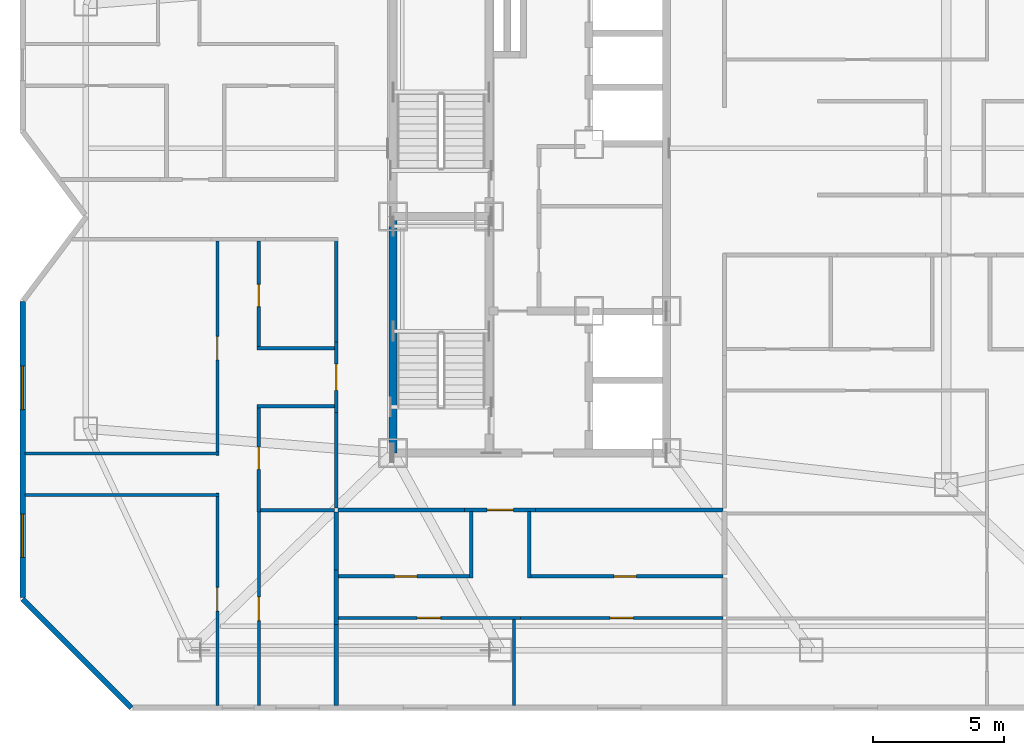
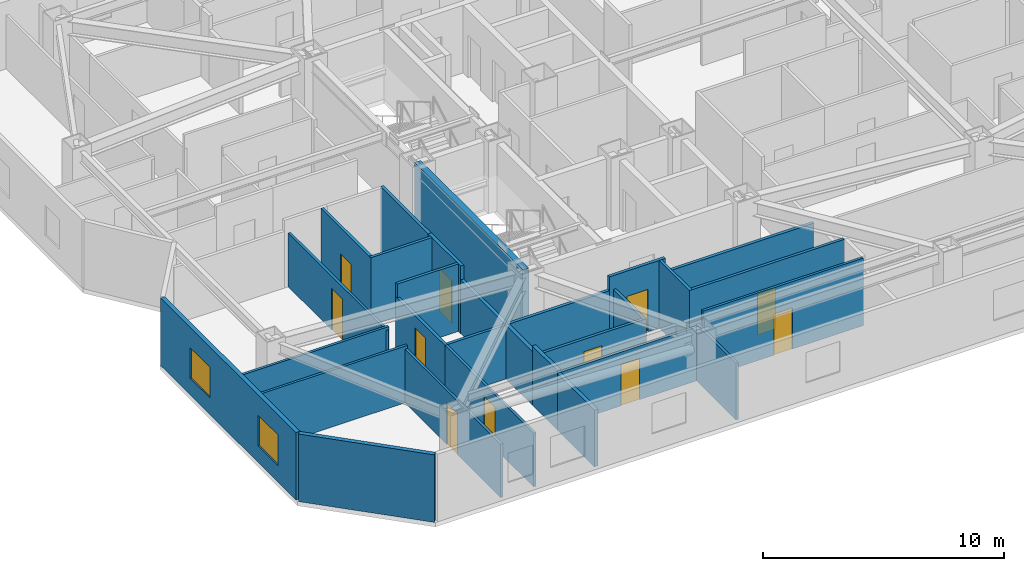
# One storey, part 5 of 11: 29 walls, 11 doors, 2 windows, 13 openings.
"""IFC4 building model written with IfcOpenShell, lengths in metres."""

from ifc_helpers import new_model, si_unit, direction, frame, frame_2d, origin, place, context, subcontext, project, spatial, rectangle, extrude, material, layer, layer_set, type_object, element, fill, save


model = new_model("IFC4")

# Units and contexts
model_context = context("Model", 3, precision=1e-05, world=origin(), true_north=direction((0.0, 1.0)))
body_context = subcontext(model_context, "Body", "Model", "MODEL_VIEW")
ifc_project = project(units=[si_unit("LENGTHUNIT", "METRE"), si_unit("AREAUNIT", "SQUARE_METRE"), si_unit("VOLUMEUNIT", "CUBIC_METRE"), si_unit("PLANEANGLEUNIT", "RADIAN"), si_unit("MASSUNIT", "GRAM", prefix="KILO")], contexts=[model_context])

# Site, building, storey
site_placement = place(None, origin())
site = spatial("IfcSite", under=ifc_project, at=site_placement, CompositionType="ELEMENT")
building_placement = place(site_placement, origin())
building = spatial("IfcBuilding", under=site, at=building_placement, Name="Khamvora Tower", CompositionType="ELEMENT")
storey_placement = place(building_placement, frame((0.0, 0.0, 163.199951171875)))
storey = spatial("IfcBuildingStorey", under=building, at=storey_placement, Name="L41", CompositionType="ELEMENT", Elevation=163.199951171875)

# Wall
ifc_material_1 = material(Name="Concrete C50/60", Category="concrete")
ifc_layer_1 = layer(ifc_material_1, 0.300048828125)
ifc_layer_set_1 = layer_set([ifc_layer_1], Name="Concrete C50/60")
wall_type_1 = type_object("IfcWallType", Name="WAL-CORE-300", PredefinedType="SHEAR", material=ifc_layer_set_1)
wall_1_placement = place(storey_placement, frame((29.0, 19.0, 0.0), z_axis=(0.0, 0.0, 1.0), x_axis=(0.0, 1.0, 0.0)))
element("IfcWall", 1, at=wall_1_placement, inside=storey, type_object=wall_type_1, Name="L41 central core west south wall", PredefinedType="SHEAR", context=body_context, shape_type="SweptSolid", body=[
    extrude(rectangle(XDim=9.0, YDim=0.300048828125, at=frame_2d((4.5, 0.0))), origin(), (0.0, 0.0, 1.0), 3.429931640625),
])

# Wall, opening, door
ifc_material_2 = material(Name="Fire-Rated Drywall and Steel Stud", Category="steel")
ifc_layer_2 = layer(ifc_material_2, 0.14990234375)
ifc_layer_set_2 = layer_set([ifc_layer_2], Name="Fire-Rated Drywall and Steel Stud")
wall_type_2 = type_object("IfcWallType", Name="WAL-CORR-150", PredefinedType="STANDARD", material=ifc_layer_set_2)
wall_2_placement = place(storey_placement, frame((26.8349609375, 20.534912109375, 0.0), z_axis=(0.0, 0.0, 1.0), x_axis=(0.0, 1.0, 0.0)))
wall_2 = element("IfcWall", 2, at=wall_2_placement, inside=storey, type_object=wall_type_2, Name="L41 interior partition wall 005", PredefinedType="STANDARD", context=body_context, shape_type="SweptSolid", body=[
    extrude(rectangle(XDim=2.697998046875, YDim=0.14990234375, at=frame_2d((1.34912109375, 0.0))), origin(), (0.0, 0.0, 1.0), 3.429931640625),
])
opening_1_placement = place(wall_2_placement, frame((0.84912109375, 0.0, 0.0)))
opening_1 = element("IfcOpeningElement", 3, at=opening_1_placement, cuts=wall_2, Name="Opening D-U1", PredefinedType="OPENING", context=body_context, shape_type="SweptSolid", body=[
    extrude(rectangle(XDim=1.0, YDim=2.14990234375, at=frame_2d((0.5, 1.074951171875))), frame((0.0, 0.0849609375, 0.0), z_axis=(0.0, -1.0, 0.0), x_axis=(1.0, 0.0, 0.0)), (0.0, 0.0, 1.0), 0.169921875),
])
ifc_material_3 = material(Name="Powder-Coated Steel and Hardwood Leaf", Category="steel")
door_type_1 = type_object("IfcDoorType", Name="DOR-UNIT-1000", OperationType="NOTDEFINED", PredefinedType="DOOR", material=ifc_material_3)
door_1_placement = place(opening_1_placement, origin())
door_1 = element("IfcDoor", 4, at=door_1_placement, inside=storey, type_object=door_type_1, Name="L41 interior door COR-41WAH", OperationType="SINGLE_SWING_LEFT", OverallHeight=2.14990234375, OverallWidth=1.0, PredefinedType="DOOR", context=body_context, shape_type="SweptSolid", body=[
    extrude(rectangle(XDim=1.0, YDim=2.14990234375, at=frame_2d((0.5, 1.074951171875))), frame((0.0, 0.02490234375, 0.0), z_axis=(0.0, -1.0, 0.0), x_axis=(1.0, 0.0, 0.0)), (0.0, 0.0, 1.0), 0.050048828125),
])
fill(opening_1, door_1)

# Walls
wall_3_placement = place(storey_placement, frame((26.8349609375, 16.89990234375, 0.0), z_axis=(0.0, 0.0, 1.0), x_axis=(0.0, 1.0, 0.0)))
element("IfcWall", 5, at=wall_3_placement, inside=storey, type_object=wall_type_2, Name="L41 interior partition wall 007", PredefinedType="STANDARD", context=body_context, shape_type="SweptSolid", body=[
    extrude(rectangle(XDim=3.635009765625, YDim=0.14990234375, at=frame_2d((1.8173828125, 0.0))), origin(), (0.0, 0.0, 1.0), 2.72509765625),
])
wall_4_placement = place(storey_placement, frame((26.8349609375, 23.23291015625, 0.0), z_axis=(0.0, 0.0, 1.0), x_axis=(0.0, 1.0, 0.0)))
element("IfcWall", 6, at=wall_4_placement, inside=storey, type_object=wall_type_2, Name="L41 interior partition wall 008", PredefinedType="STANDARD", context=body_context, shape_type="SweptSolid", body=[
    extrude(rectangle(XDim=3.967041015625, YDim=0.14990234375, at=frame_2d((1.9833984375, 0.0))), origin(), (0.0, 0.0, 1.0), 3.429931640625),
])

# Wall, opening, door
wall_5_placement = place(storey_placement, frame((34.424072265625, 16.8349609375, 0.0), z_axis=(0.0, 0.0, 1.0), x_axis=(-1.0, 0.0, 0.0)))
wall_5 = element("IfcWall", 7, at=wall_5_placement, inside=storey, type_object=wall_type_2, Name="L41 interior partition wall 016", PredefinedType="STANDARD", context=body_context, shape_type="SweptSolid", body=[
    extrude(rectangle(XDim=2.697998046875, YDim=0.14990234375, at=frame_2d((1.34912109375, 0.0))), origin(), (0.0, 0.0, 1.0), 3.429931640625),
])
opening_2_placement = place(wall_5_placement, frame((0.84912109375, 0.0, 0.0)))
opening_2 = element("IfcOpeningElement", 8, at=opening_2_placement, cuts=wall_5, Name="Opening D-U1", PredefinedType="OPENING", context=body_context, shape_type="SweptSolid", body=[
    extrude(rectangle(XDim=1.0, YDim=2.14990234375, at=frame_2d((0.5, 1.074951171875))), frame((0.0, 0.0849609375, 0.0), z_axis=(0.0, -1.0, 0.0), x_axis=(1.0, 0.0, 0.0)), (0.0, 0.0, 1.0), 0.169921875),
])
door_2_placement = place(opening_2_placement, origin())
door_2 = element("IfcDoor", 9, at=door_2_placement, inside=storey, type_object=door_type_1, Name="L41 interior door COR-41SAH", OperationType="SINGLE_SWING_LEFT", OverallHeight=2.14990234375, OverallWidth=1.0, PredefinedType="DOOR", context=body_context, shape_type="SweptSolid", body=[
    extrude(rectangle(XDim=1.0, YDim=2.14990234375, at=frame_2d((0.5, 1.074951171875))), frame((0.0, 0.02490234375, 0.0), z_axis=(0.0, -1.0, 0.0), x_axis=(1.0, 0.0, 0.0)), (0.0, 0.0, 1.0), 0.050048828125),
])
fill(opening_2, door_2)

# Walls
wall_6_placement = place(storey_placement, frame((31.72607421875, 16.8349609375, 0.0), z_axis=(0.0, 0.0, 1.0), x_axis=(-1.0, 0.0, 0.0)))
element("IfcWall", 10, at=wall_6_placement, inside=storey, type_object=wall_type_2, Name="L41 interior partition wall 017", PredefinedType="STANDARD", context=body_context, shape_type="SweptSolid", body=[
    extrude(rectangle(XDim=4.826171875, YDim=0.14990234375, at=frame_2d((2.4130859375, 0.0))), origin(), (0.0, 0.0, 1.0), 2.72509765625),
])
wall_7_placement = place(storey_placement, frame((41.550048828125, 16.8349609375, 0.0), z_axis=(0.0, 0.0, 1.0), x_axis=(-1.0, 0.0, 0.0)))
element("IfcWall", 11, at=wall_7_placement, inside=storey, type_object=wall_type_2, Name="L41 interior partition wall 018", PredefinedType="STANDARD", context=body_context, shape_type="SweptSolid", body=[
    extrude(rectangle(XDim=7.1259765625, YDim=0.14990234375, at=frame_2d((3.56298828125, 0.0))), origin(), (0.0, 0.0, 1.0), 2.72509765625),
])
ifc_material_4 = material(Name="Acoustic Double-Stud Fire Wall", Category="gypsum")
ifc_layer_3 = layer(ifc_material_4, 0.179931640625)
ifc_layer_set_3 = layer_set([ifc_layer_3], Name="Acoustic Double-Stud Fire Wall")
wall_type_3 = type_object("IfcWallType", Name="WAL-CORR-180", PredefinedType="STANDARD", material=ifc_layer_set_3)
wall_8_placement = place(storey_placement, frame((26.8349609375, 14.553955078125, 0.0), z_axis=(0.0, 0.0, 1.0), x_axis=(0.0, -1.0, 0.0)))
element("IfcWall", 12, at=wall_8_placement, inside=storey, type_object=wall_type_3, Name="L41 interior partition wall 038", PredefinedType="STANDARD", context=body_context, shape_type="SweptSolid", body=[
    extrude(rectangle(XDim=2.077880859375, YDim=0.179931640625, at=frame_2d((1.0390625, 0.0))), origin(), (0.0, 0.0, 1.0), 3.012939453125),
])
wall_9_placement = place(storey_placement, frame((26.8349609375, 16.75390625, 0.0), z_axis=(0.0, 0.0, 1.0), x_axis=(0.0, -1.0, 0.0)))
element("IfcWall", 13, at=wall_9_placement, inside=storey, type_object=wall_type_3, Name="L41 interior partition wall 039", PredefinedType="STANDARD", context=body_context, shape_type="SweptSolid", body=[
    extrude(rectangle(XDim=2.199951171875, YDim=0.179931640625, at=frame_2d((1.10009765625, 0.0))), origin(), (0.0, 0.0, 1.0), 2.72509765625),
])
wall_10_placement = place(storey_placement, frame((26.8349609375, 12.47607421875, 0.0), z_axis=(0.0, 0.0, 1.0), x_axis=(0.0, -1.0, 0.0)))
element("IfcWall", 14, at=wall_10_placement, inside=storey, type_object=wall_type_3, Name="L41 interior partition wall 040", PredefinedType="STANDARD", context=body_context, shape_type="SweptSolid", body=[
    extrude(rectangle(XDim=3.083984375, YDim=0.179931640625, at=frame_2d((1.5419921875, 0.0))), origin(), (0.0, 0.0, 1.0), 2.8759765625),
])
ifc_material_5 = material(Name="Precast concrete C40/50", Category="concrete")
ifc_layer_4 = layer(ifc_material_5, 0.199951171875)
ifc_layer_set_4 = layer_set([ifc_layer_4], Name="Precast concrete C40/50")
wall_type_4 = type_object("IfcWallType", Name="WAL-EXT-200", PredefinedType="STANDARD", material=ifc_layer_set_4)
wall_11_placement = place(storey_placement, frame((19.041015625, 9.300048828125, 0.0), z_axis=(0.0, 0.0, 1.0), x_axis=(-0.707127625344, 0.707085936414, 0.0)))
element("IfcWall", 15, at=wall_11_placement, inside=storey, type_object=wall_type_4, Name="L41 exterior facade wall 01.1", PredefinedType="STANDARD", context=body_context, shape_type="SweptSolid", body=[
    extrude(rectangle(XDim=5.856201171875, YDim=0.199951171875, at=frame_2d((2.92822265625, 0.0))), origin(), (0.0, 0.0, 1.0), 3.429931640625),
])

# Wall, openings, windows
wall_12_placement = place(storey_placement, frame((14.89990234375, 13.50390625, 0.0), z_axis=(0.0, 0.0, 1.0), x_axis=(0.0, 1.0, 0.0)))
wall_12 = element("IfcWall", 16, at=wall_12_placement, inside=storey, type_object=wall_type_4, Name="L41 exterior facade wall 02.1", PredefinedType="STANDARD", context=body_context, shape_type="SweptSolid", body=[
    extrude(rectangle(XDim=11.26318359375, YDim=0.199951171875, at=frame_2d((5.631591796875, 0.0))), origin(), (0.0, 0.0, 1.0), 3.429931640625),
])
opening_3_placement = place(wall_12_placement, frame((1.51806640625, 0.0, 0.85009765625)))
opening_3 = element("IfcOpeningElement", 17, at=opening_3_placement, cuts=wall_12, Name="Opening WN-06", PredefinedType="OPENING", context=body_context, shape_type="SweptSolid", body=[
    extrude(rectangle(XDim=1.64990234375, YDim=1.550048828125, at=frame_2d((0.824951171875, 0.77490234375))), frame((0.0, 0.10986328125, 0.0), z_axis=(0.0, -1.0, 0.0), x_axis=(1.0, 0.0, 0.0)), (0.0, 0.0, 1.0), 0.219970703125),
])
opening_4_placement = place(wall_12_placement, frame((7.14990234375, 0.0, 0.85009765625)))
opening_4 = element("IfcOpeningElement", 18, at=opening_4_placement, cuts=wall_12, Name="Opening WN-06", PredefinedType="OPENING", context=body_context, shape_type="SweptSolid", body=[
    extrude(rectangle(XDim=1.64990234375, YDim=1.550048828125, at=frame_2d((0.824951171875, 0.77490234375))), frame((0.0, 0.10986328125, 0.0), z_axis=(0.0, -1.0, 0.0), x_axis=(1.0, 0.0, 0.0)), (0.0, 0.0, 1.0), 0.219970703125),
])
ifc_material_6 = material(Name="Low-E Laminated Double Glazing", Category="glass")
window_type = type_object("IfcWindowType", Name="WIN-VIS-1650x1550", PartitioningType="SINGLE_PANEL", PredefinedType="WINDOW", material=ifc_material_6)
window_1_placement = place(opening_3_placement, origin())
window_1 = element("IfcWindow", 19, at=window_1_placement, inside=storey, type_object=window_type, Name="L41 vision window 02.1.01", OverallHeight=1.550048828125, OverallWidth=1.64990234375, PartitioningType="SINGLE_PANEL", PredefinedType="WINDOW", context=body_context, shape_type="SweptSolid", body=[
    extrude(rectangle(XDim=1.64990234375, YDim=1.550048828125, at=frame_2d((0.824951171875, 0.77490234375))), frame((0.0, 0.030029296875, 0.0), z_axis=(0.0, -1.0, 0.0), x_axis=(1.0, 0.0, 0.0)), (0.0, 0.0, 1.0), 0.06005859375),
])
fill(opening_3, window_1)
window_2_placement = place(opening_4_placement, origin())
window_2 = element("IfcWindow", 20, at=window_2_placement, inside=storey, type_object=window_type, Name="L41 vision window 02.1.02", OverallHeight=1.550048828125, OverallWidth=1.64990234375, PartitioningType="SINGLE_PANEL", PredefinedType="WINDOW", context=body_context, shape_type="SweptSolid", body=[
    extrude(rectangle(XDim=1.64990234375, YDim=1.550048828125, at=frame_2d((0.824951171875, 0.77490234375))), frame((0.0, 0.030029296875, 0.0), z_axis=(0.0, -1.0, 0.0), x_axis=(1.0, 0.0, 0.0)), (0.0, 0.0, 1.0), 0.06005859375),
])
fill(opening_4, window_2)

# Wall, opening, door
ifc_material_7 = material(Name="Gypsum Plasterboard Partition", Category="gypsum")
ifc_layer_5 = layer(ifc_material_7, 0.1201171875)
ifc_layer_set_5 = layer_set([ifc_layer_5], Name="Gypsum Plasterboard Partition")
wall_type_5 = type_object("IfcWallType", Name="WAL-PART-120", PredefinedType="PARTITIONING", material=ifc_layer_set_5)
wall_13_placement = place(storey_placement, frame((23.889892578125, 9.39208984375, 0.0), z_axis=(0.0, 0.0, 1.0), x_axis=(0.0, 1.0, 0.0)))
wall_13 = element("IfcWall", 21, at=wall_13_placement, inside=storey, type_object=wall_type_5, Name="L41 interior partition wall 036", PredefinedType="PARTITIONING", context=body_context, shape_type="SweptSolid", body=[
    extrude(rectangle(XDim=7.36181640625, YDim=0.1201171875, at=frame_2d((3.680908203125, 0.0))), origin(), (0.0, 0.0, 1.0), 2.72509765625),
])
opening_5_placement = place(wall_13_placement, frame((3.23095703125, 0.0, 0.0)))
opening_5 = element("IfcOpeningElement", 22, at=opening_5_placement, cuts=wall_13, Name="Opening D-RM1", PredefinedType="OPENING", context=body_context, shape_type="SweptSolid", body=[
    extrude(rectangle(XDim=0.89990234375, YDim=2.10009765625, at=frame_2d((0.449951171875, 1.050048828125))), frame((0.0, 0.070068359375, 0.0), z_axis=(0.0, -1.0, 0.0), x_axis=(1.0, 0.0, 0.0)), (0.0, 0.0, 1.0), 0.14013671875),
])
door_type_2 = type_object("IfcDoorType", Name="DOR-ROOM-900", OperationType="NOTDEFINED", PredefinedType="DOOR", material=ifc_material_3)
door_3_placement = place(opening_5_placement, origin())
door_3 = element("IfcDoor", 23, at=door_3_placement, inside=storey, type_object=door_type_2, Name="L41 interior door 41WAW1-41WAH", OperationType="SINGLE_SWING_LEFT", OverallHeight=2.10009765625, OverallWidth=0.89990234375, PredefinedType="DOOR", context=body_context, shape_type="SweptSolid", body=[
    extrude(rectangle(XDim=0.89990234375, YDim=2.10009765625, at=frame_2d((0.449951171875, 1.050048828125))), frame((0.0, 0.02490234375, 0.0), z_axis=(0.0, -1.0, 0.0), x_axis=(1.0, 0.0, 0.0)), (0.0, 0.0, 1.0), 0.050048828125),
])
fill(opening_5, door_3)

wall_14_placement = place(storey_placement, frame((22.31005859375, 9.39208984375, 0.0), z_axis=(0.0, 0.0, 1.0), x_axis=(0.0, 1.0, 0.0)))
wall_14 = element("IfcWall", 24, at=wall_14_placement, inside=storey, type_object=wall_type_5, Name="L41 interior partition wall 045", PredefinedType="PARTITIONING", context=body_context, shape_type="SweptSolid", body=[
    extrude(rectangle(XDim=8.077880859375, YDim=0.1201171875, at=frame_2d((4.0390625, 0.0))), origin(), (0.0, 0.0, 1.0), 2.72509765625),
])
opening_6_placement = place(wall_14_placement, frame((3.589111328125, 0.0, 0.0)))
opening_6 = element("IfcOpeningElement", 25, at=opening_6_placement, cuts=wall_14, Name="Opening D-RM1", PredefinedType="OPENING", context=body_context, shape_type="SweptSolid", body=[
    extrude(rectangle(XDim=0.89990234375, YDim=2.10009765625, at=frame_2d((0.449951171875, 1.050048828125))), frame((0.0, 0.070068359375, 0.0), z_axis=(0.0, -1.0, 0.0), x_axis=(1.0, 0.0, 0.0)), (0.0, 0.0, 1.0), 0.14013671875),
])
door_4_placement = place(opening_6_placement, origin())
door_4 = element("IfcDoor", 26, at=door_4_placement, inside=storey, type_object=door_type_2, Name="L41 interior door 41WAH-41WAR1", OperationType="SINGLE_SWING_RIGHT", OverallHeight=2.10009765625, OverallWidth=0.89990234375, PredefinedType="DOOR", context=body_context, shape_type="SweptSolid", body=[
    extrude(rectangle(XDim=0.89990234375, YDim=2.10009765625, at=frame_2d((0.449951171875, 1.050048828125))), frame((0.0, 0.02490234375, 0.0), z_axis=(0.0, -1.0, 0.0), x_axis=(1.0, 0.0, 0.0)), (0.0, 0.0, 1.0), 0.050048828125),
])
fill(opening_6, door_4)

# Walls
for number, where, z_axis, x_axis, name in (
    (27, (22.375, 17.405029296875, 0.0), (0.0, 0.0, 1.0), (-1.0, 0.0, 0.0), "L41 interior partition wall 046"),
    (28, (14.991943359375, 18.97509765625, 0.0), (0.0, 0.0, 1.0), (1.0, 0.0, 0.0), "L41 interior partition wall 047"),
):
    element("IfcWall", number, at=place(storey_placement, frame(where, z_axis=z_axis, x_axis=x_axis)), inside=storey, type_object=wall_type_5, Name=name, PredefinedType="PARTITIONING", context=body_context, shape_type="SweptSolid", body=[
        extrude(rectangle(XDim=7.383056640625, YDim=0.1201171875, at=frame_2d((3.69140625, 0.0))), origin(), (0.0, 0.0, 1.0), 2.8759765625),
    ])

# Wall, opening, door
wall_15_placement = place(storey_placement, frame((22.31005859375, 18.909912109375, 0.0), z_axis=(0.0, 0.0, 1.0), x_axis=(0.0, 1.0, 0.0)))
wall_15 = element("IfcWall", 29, at=wall_15_placement, inside=storey, type_object=wall_type_5, Name="L41 interior partition wall 048", PredefinedType="PARTITIONING", context=body_context, shape_type="SweptSolid", body=[
    extrude(rectangle(XDim=8.16015625, YDim=0.1201171875, at=frame_2d((4.080078125, 0.0))), origin(), (0.0, 0.0, 1.0), 2.72509765625),
])
opening_7_placement = place(wall_15_placement, frame((3.6298828125, 0.0, 0.0)))
opening_7 = element("IfcOpeningElement", 30, at=opening_7_placement, cuts=wall_15, Name="Opening D-RM1", PredefinedType="OPENING", context=body_context, shape_type="SweptSolid", body=[
    extrude(rectangle(XDim=0.89990234375, YDim=2.10009765625, at=frame_2d((0.449951171875, 1.050048828125))), frame((0.0, 0.070068359375, 0.0), z_axis=(0.0, -1.0, 0.0), x_axis=(1.0, 0.0, 0.0)), (0.0, 0.0, 1.0), 0.14013671875),
])
door_5_placement = place(opening_7_placement, origin())
door_5 = element("IfcDoor", 31, at=door_5_placement, inside=storey, type_object=door_type_2, Name="L41 interior door 41WAH-41WAR2", OperationType="SINGLE_SWING_LEFT", OverallHeight=2.10009765625, OverallWidth=0.89990234375, PredefinedType="DOOR", context=body_context, shape_type="SweptSolid", body=[
    extrude(rectangle(XDim=0.89990234375, YDim=2.10009765625, at=frame_2d((0.449951171875, 1.050048828125))), frame((0.0, 0.02490234375, 0.0), z_axis=(0.0, -1.0, 0.0), x_axis=(1.0, 0.0, 0.0)), (0.0, 0.0, 1.0), 0.050048828125),
])
fill(opening_7, door_5)

wall_16_placement = place(storey_placement, frame((33.847900390625, 12.72509765625, 0.0), z_axis=(0.0, 0.0, 1.0), x_axis=(-1.0, 0.0, 0.0)))
wall_16 = element("IfcWall", 32, at=wall_16_placement, inside=storey, type_object=wall_type_5, Name="L41 interior partition wall 067", PredefinedType="PARTITIONING", context=body_context, shape_type="SweptSolid", body=[
    extrude(rectangle(XDim=6.930908203125, YDim=0.1201171875, at=frame_2d((3.46533203125, 0.0))), origin(), (0.0, 0.0, 1.0), 2.72509765625),
])
opening_8_placement = place(wall_16_placement, frame((3.035888671875, 0.0, 0.0)))
opening_8 = element("IfcOpeningElement", 33, at=opening_8_placement, cuts=wall_16, Name="Opening D-RM1", PredefinedType="OPENING", context=body_context, shape_type="SweptSolid", body=[
    extrude(rectangle(XDim=0.89990234375, YDim=2.10009765625, at=frame_2d((0.449951171875, 1.050048828125))), frame((0.0, 0.070068359375, 0.0), z_axis=(0.0, -1.0, 0.0), x_axis=(1.0, 0.0, 0.0)), (0.0, 0.0, 1.0), 0.14013671875),
])
door_6_placement = place(opening_8_placement, origin())
door_6 = element("IfcDoor", 34, at=door_6_placement, inside=storey, type_object=door_type_2, Name="L41 interior door 41SAH-41SAL", OperationType="SINGLE_SWING_RIGHT", OverallHeight=2.10009765625, OverallWidth=0.89990234375, PredefinedType="DOOR", context=body_context, shape_type="SweptSolid", body=[
    extrude(rectangle(XDim=0.89990234375, YDim=2.10009765625, at=frame_2d((0.449951171875, 1.050048828125))), frame((0.0, 0.02490234375, 0.0), z_axis=(0.0, -1.0, 0.0), x_axis=(1.0, 0.0, 0.0)), (0.0, 0.0, 1.0), 0.050048828125),
])
fill(opening_8, door_6)

wall_17_placement = place(storey_placement, frame((41.550048828125, 12.72509765625, 0.0), z_axis=(0.0, 0.0, 1.0), x_axis=(-1.0, 0.0, 0.0)))
wall_17 = element("IfcWall", 35, at=wall_17_placement, inside=storey, type_object=wall_type_5, Name="L41 interior partition wall 068", PredefinedType="PARTITIONING", context=body_context, shape_type="SweptSolid", body=[
    extrude(rectangle(XDim=7.7021484375, YDim=0.1201171875, at=frame_2d((3.85107421875, 0.0))), origin(), (0.0, 0.0, 1.0), 3.429931640625),
])
opening_9_placement = place(wall_17_placement, frame((3.40087890625, 0.0, 0.0)))
opening_9 = element("IfcOpeningElement", 36, at=opening_9_placement, cuts=wall_17, Name="Opening D-RM1", PredefinedType="OPENING", context=body_context, shape_type="SweptSolid", body=[
    extrude(rectangle(XDim=0.89990234375, YDim=2.10009765625, at=frame_2d((0.449951171875, 1.050048828125))), frame((0.0, 0.070068359375, 0.0), z_axis=(0.0, -1.0, 0.0), x_axis=(1.0, 0.0, 0.0)), (0.0, 0.0, 1.0), 0.14013671875),
])
door_7_placement = place(opening_9_placement, origin())
door_7 = element("IfcDoor", 37, at=door_7_placement, inside=storey, type_object=door_type_2, Name="L41 interior door 41SAH-41SAR2", OperationType="SINGLE_SWING_LEFT", OverallHeight=2.10009765625, OverallWidth=0.89990234375, PredefinedType="DOOR", context=body_context, shape_type="SweptSolid", body=[
    extrude(rectangle(XDim=0.89990234375, YDim=2.10009765625, at=frame_2d((0.449951171875, 1.050048828125))), frame((0.0, 0.02490234375, 0.0), z_axis=(0.0, -1.0, 0.0), x_axis=(1.0, 0.0, 0.0)), (0.0, 0.0, 1.0), 0.050048828125),
])
fill(opening_9, door_7)

# Walls
wall_18_placement = place(storey_placement, frame((33.59912109375, 12.6708984375, 0.0), z_axis=(0.0, 0.0, 1.0), x_axis=(0.0, -1.0, 0.0)))
element("IfcWall", 38, at=wall_18_placement, inside=storey, type_object=wall_type_5, Name="L41 interior partition wall 071", PredefinedType="PARTITIONING", context=body_context, shape_type="SweptSolid", body=[
    extrude(rectangle(XDim=3.27880859375, YDim=0.1201171875, at=frame_2d((1.639404296875, 0.0))), origin(), (0.0, 0.0, 1.0), 2.8759765625),
])
ifc_material_8 = material(Name="Moisture-Resistant Plasterboard Partition", Category="gypsum")
ifc_layer_6 = layer(ifc_material_8, 0.135009765625)
ifc_layer_set_6 = layer_set([ifc_layer_6], Name="Moisture-Resistant Plasterboard Partition")
wall_type_6 = type_object("IfcWallType", Name="WAL-WET-135", PredefinedType="PARTITIONING", material=ifc_layer_set_6)
wall_19_placement = place(storey_placement, frame((23.955078125, 16.819091796875, 0.0), z_axis=(0.0, 0.0, 1.0), x_axis=(1.0, 0.0, 0.0)))
element("IfcWall", 39, at=wall_19_placement, inside=storey, type_object=wall_type_6, Name="L41 interior partition wall 037", PredefinedType="PARTITIONING", context=body_context, shape_type="SweptSolid", body=[
    extrude(rectangle(XDim=2.81494140625, YDim=0.135009765625, at=frame_2d((1.407470703125, 0.0))), origin(), (0.0, 0.0, 1.0), 2.72509765625),
])
wall_20_placement = place(storey_placement, frame((26.77001953125, 20.783935546875, 0.0), z_axis=(0.0, 0.0, 1.0), x_axis=(-1.0, 0.0, 0.0)))
element("IfcWall", 40, at=wall_20_placement, inside=storey, type_object=wall_type_6, Name="L41 interior partition wall 041", PredefinedType="PARTITIONING", context=body_context, shape_type="SweptSolid", body=[
    extrude(rectangle(XDim=2.945068359375, YDim=0.135009765625, at=frame_2d((1.47265625, 0.0))), origin(), (0.0, 0.0, 1.0), 3.429931640625),
])

# Wall, opening, door
wall_21_placement = place(storey_placement, frame((23.889892578125, 20.84912109375, 0.0), z_axis=(0.0, 0.0, 1.0), x_axis=(0.0, -1.0, 0.0)))
wall_21 = element("IfcWall", 41, at=wall_21_placement, inside=storey, type_object=wall_type_6, Name="L41 interior partition wall 042", PredefinedType="PARTITIONING", context=body_context, shape_type="SweptSolid", body=[
    extrude(rectangle(XDim=4.09521484375, YDim=0.135009765625, at=frame_2d((2.047607421875, 0.0))), origin(), (0.0, 0.0, 1.0), 2.72509765625),
])
opening_10_placement = place(wall_21_placement, frame((1.6220703125, 0.0, 0.0)))
opening_10 = element("IfcOpeningElement", 42, at=opening_10_placement, cuts=wall_21, Name="Opening D-WC1", PredefinedType="OPENING", context=body_context, shape_type="SweptSolid", body=[
    extrude(rectangle(XDim=0.85009765625, YDim=2.10009765625, at=frame_2d((0.425048828125, 1.050048828125))), frame((0.0, 0.077392578125, 0.0), z_axis=(0.0, -1.0, 0.0), x_axis=(1.0, 0.0, 0.0)), (0.0, 0.0, 1.0), 0.155029296875),
])
door_type_3 = type_object("IfcDoorType", Name="DOR-WET-850", OperationType="NOTDEFINED", PredefinedType="DOOR", material=ifc_material_3)
door_8_placement = place(opening_10_placement, origin())
door_8 = element("IfcDoor", 43, at=door_8_placement, inside=storey, type_object=door_type_3, Name="L41 interior door 41WAH-41WAB", OperationType="SINGLE_SWING_RIGHT", OverallHeight=2.10009765625, OverallWidth=0.85009765625, PredefinedType="DOOR", context=body_context, shape_type="SweptSolid", body=[
    extrude(rectangle(XDim=0.85009765625, YDim=2.10009765625, at=frame_2d((0.425048828125, 1.050048828125))), frame((0.0, 0.02490234375, 0.0), z_axis=(0.0, -1.0, 0.0), x_axis=(1.0, 0.0, 0.0)), (0.0, 0.0, 1.0), 0.050048828125),
])
fill(opening_10, door_8)

wall_22_placement = place(storey_placement, frame((23.889892578125, 27.070068359375, 0.0), z_axis=(0.0, 0.0, 1.0), x_axis=(0.0, -1.0, 0.0)))
wall_22 = element("IfcWall", 44, at=wall_22_placement, inside=storey, type_object=wall_type_6, Name="L41 interior partition wall 043", PredefinedType="PARTITIONING", context=body_context, shape_type="SweptSolid", body=[
    extrude(rectangle(XDim=4.151123046875, YDim=0.135009765625, at=frame_2d((2.07568359375, 0.0))), origin(), (0.0, 0.0, 1.0), 3.429931640625),
])
opening_11_placement = place(wall_22_placement, frame((1.64990234375, 0.0, 0.0)))
opening_11 = element("IfcOpeningElement", 45, at=opening_11_placement, cuts=wall_22, Name="Opening D-RM2", PredefinedType="OPENING", context=body_context, shape_type="SweptSolid", body=[
    extrude(rectangle(XDim=0.85009765625, YDim=2.10009765625, at=frame_2d((0.425048828125, 1.050048828125))), frame((0.0, 0.077392578125, 0.0), z_axis=(0.0, -1.0, 0.0), x_axis=(1.0, 0.0, 0.0)), (0.0, 0.0, 1.0), 0.155029296875),
])
door_type_4 = type_object("IfcDoorType", Name="DOR-ROOM-850", OperationType="NOTDEFINED", PredefinedType="DOOR", material=ifc_material_3)
door_9_placement = place(opening_11_placement, origin())
door_9 = element("IfcDoor", 46, at=door_9_placement, inside=storey, type_object=door_type_4, Name="L41 interior door 41WAH-41WAK", OperationType="SINGLE_SWING_LEFT", OverallHeight=2.10009765625, OverallWidth=0.85009765625, PredefinedType="DOOR", context=body_context, shape_type="SweptSolid", body=[
    extrude(rectangle(XDim=0.85009765625, YDim=2.10009765625, at=frame_2d((0.425048828125, 1.050048828125))), frame((0.0, 0.02490234375, 0.0), z_axis=(0.0, -1.0, 0.0), x_axis=(1.0, 0.0, 0.0)), (0.0, 0.0, 1.0), 0.050048828125),
])
fill(opening_11, door_9)

# Wall
wall_23_placement = place(storey_placement, frame((23.824951171875, 22.98388671875, 0.0), z_axis=(0.0, 0.0, 1.0), x_axis=(1.0, 0.0, 0.0)))
element("IfcWall", 47, at=wall_23_placement, inside=storey, type_object=wall_type_6, Name="L41 interior partition wall 044", PredefinedType="PARTITIONING", context=body_context, shape_type="SweptSolid", body=[
    extrude(rectangle(XDim=2.945068359375, YDim=0.135009765625, at=frame_2d((1.47265625, 0.0))), origin(), (0.0, 0.0, 1.0), 3.429931640625),
])

# Wall, opening, door
wall_24_placement = place(storey_placement, frame((26.9169921875, 14.304931640625, 0.0), z_axis=(0.0, 0.0, 1.0), x_axis=(1.0, 0.0, 0.0)))
wall_24 = element("IfcWall", 48, at=wall_24_placement, inside=storey, type_object=wall_type_6, Name="L41 interior partition wall 063", PredefinedType="PARTITIONING", context=body_context, shape_type="SweptSolid", body=[
    extrude(rectangle(XDim=5.123046875, YDim=0.135009765625, at=frame_2d((2.5615234375, 0.0))), origin(), (0.0, 0.0, 1.0), 2.72509765625),
])
opening_12_placement = place(wall_24_placement, frame((2.136962890625, 0.0, 0.0)))
opening_12 = element("IfcOpeningElement", 49, at=opening_12_placement, cuts=wall_24, Name="Opening D-WC1", PredefinedType="OPENING", context=body_context, shape_type="SweptSolid", body=[
    extrude(rectangle(XDim=0.85009765625, YDim=2.10009765625, at=frame_2d((0.425048828125, 1.050048828125))), frame((0.0, 0.077392578125, 0.0), z_axis=(0.0, -1.0, 0.0), x_axis=(1.0, 0.0, 0.0)), (0.0, 0.0, 1.0), 0.155029296875),
])
door_10_placement = place(opening_12_placement, origin())
door_10 = element("IfcDoor", 50, at=door_10_placement, inside=storey, type_object=door_type_3, Name="L41 interior door 41SAH-41SAB", OperationType="SINGLE_SWING_RIGHT", OverallHeight=2.10009765625, OverallWidth=0.85009765625, PredefinedType="DOOR", context=body_context, shape_type="SweptSolid", body=[
    extrude(rectangle(XDim=0.85009765625, YDim=2.10009765625, at=frame_2d((0.425048828125, 1.050048828125))), frame((0.0, 0.02490234375, 0.0), z_axis=(0.0, -1.0, 0.0), x_axis=(1.0, 0.0, 0.0)), (0.0, 0.0, 1.0), 0.050048828125),
])
fill(opening_12, door_10)

# Walls
wall_25_placement = place(storey_placement, frame((31.97509765625, 14.239990234375, 0.0), z_axis=(0.0, 0.0, 1.0), x_axis=(0.0, 1.0, 0.0)))
element("IfcWall", 51, at=wall_25_placement, inside=storey, type_object=wall_type_6, Name="L41 interior partition wall 064", PredefinedType="PARTITIONING", context=body_context, shape_type="SweptSolid", body=[
    extrude(rectangle(XDim=2.530029296875, YDim=0.135009765625, at=frame_2d((1.26513671875, 0.0))), origin(), (0.0, 0.0, 1.0), 2.72509765625),
])
wall_26_placement = place(storey_placement, frame((34.175048828125, 16.77001953125, 0.0), z_axis=(0.0, 0.0, 1.0), x_axis=(0.0, -1.0, 0.0)))
element("IfcWall", 52, at=wall_26_placement, inside=storey, type_object=wall_type_6, Name="L41 interior partition wall 065", PredefinedType="PARTITIONING", context=body_context, shape_type="SweptSolid", body=[
    extrude(rectangle(XDim=2.530029296875, YDim=0.135009765625, at=frame_2d((1.26513671875, 0.0))), origin(), (0.0, 0.0, 1.0), 3.429931640625),
])

# Wall, opening, door
wall_27_placement = place(storey_placement, frame((34.110107421875, 14.304931640625, 0.0), z_axis=(0.0, 0.0, 1.0), x_axis=(1.0, 0.0, 0.0)))
wall_27 = element("IfcWall", 53, at=wall_27_placement, inside=storey, type_object=wall_type_6, Name="L41 interior partition wall 066", PredefinedType="PARTITIONING", context=body_context, shape_type="SweptSolid", body=[
    extrude(rectangle(XDim=7.43994140625, YDim=0.135009765625, at=frame_2d((3.719970703125, 0.0))), origin(), (0.0, 0.0, 1.0), 3.429931640625),
])
opening_13_placement = place(wall_27_placement, frame((3.294921875, 0.0, 0.0)))
opening_13 = element("IfcOpeningElement", 54, at=opening_13_placement, cuts=wall_27, Name="Opening D-RM2", PredefinedType="OPENING", context=body_context, shape_type="SweptSolid", body=[
    extrude(rectangle(XDim=0.85009765625, YDim=2.10009765625, at=frame_2d((0.425048828125, 1.050048828125))), frame((0.0, 0.077392578125, 0.0), z_axis=(0.0, -1.0, 0.0), x_axis=(1.0, 0.0, 0.0)), (0.0, 0.0, 1.0), 0.155029296875),
])
door_11_placement = place(opening_13_placement, origin())
door_11 = element("IfcDoor", 55, at=door_11_placement, inside=storey, type_object=door_type_4, Name="L41 interior door 41SAH-41SAK", OperationType="SINGLE_SWING_LEFT", OverallHeight=2.10009765625, OverallWidth=0.85009765625, PredefinedType="DOOR", context=body_context, shape_type="SweptSolid", body=[
    extrude(rectangle(XDim=0.85009765625, YDim=2.10009765625, at=frame_2d((0.425048828125, 1.050048828125))), frame((0.0, 0.02490234375, 0.0), z_axis=(0.0, -1.0, 0.0), x_axis=(1.0, 0.0, 0.0)), (0.0, 0.0, 1.0), 0.050048828125),
])
fill(opening_13, door_11)

save(model, "model.ifc")
